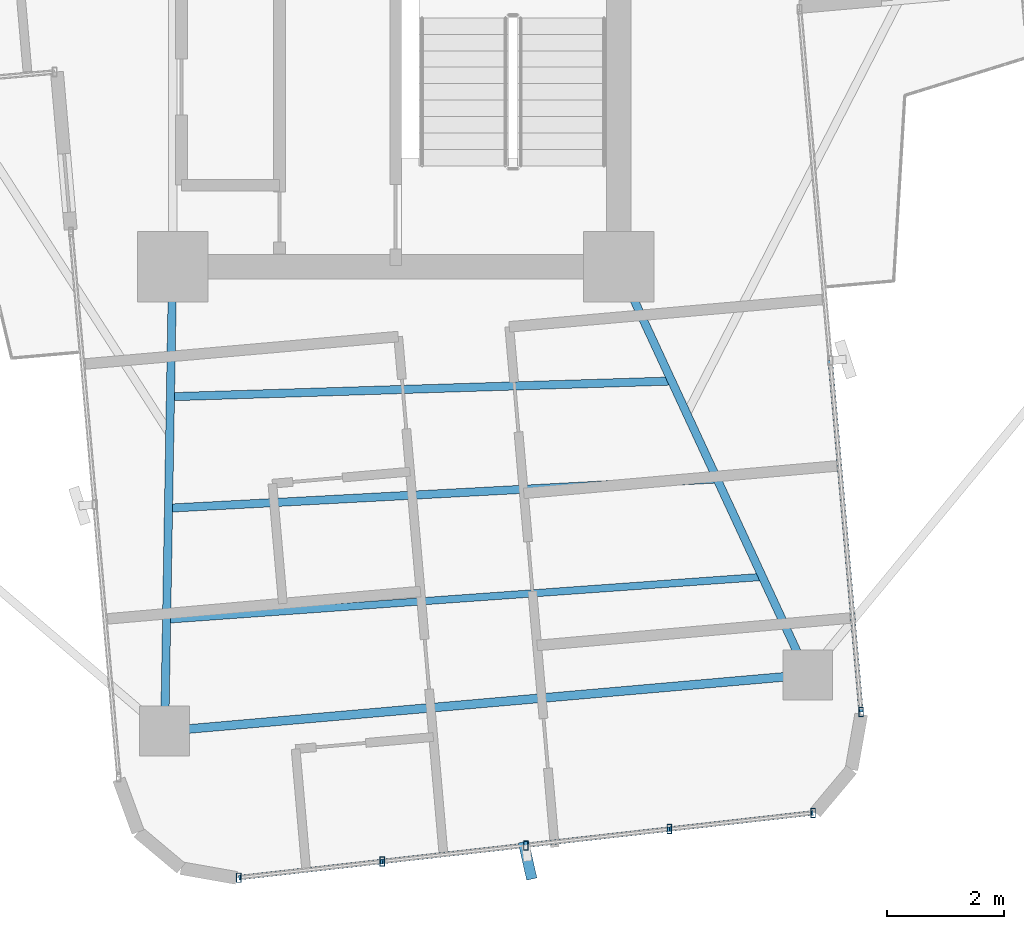
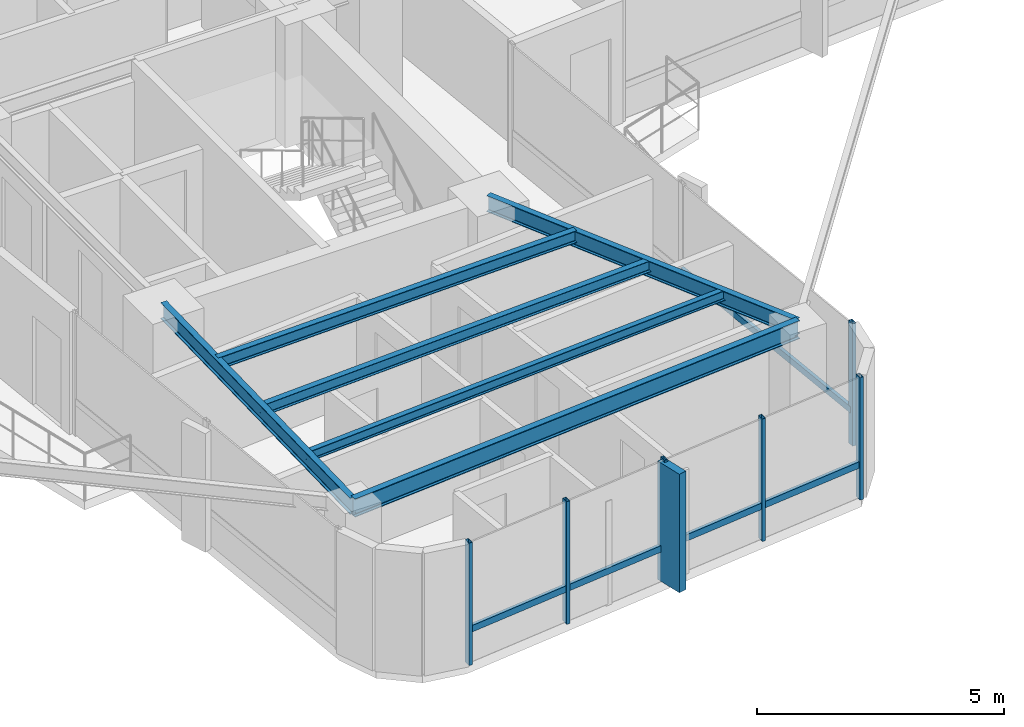
# One storey, part 6 of 24: 12 members, 6 beams, 2 elements without a shape of their own.
"""IFC4 building model written with IfcOpenShell, lengths in metres."""

from ifc_helpers import new_model, si_unit, direction, frame, origin, origin_2d, place, context, subcontext, project, spatial, rectangle, hollow_rectangle, i_section, extrude, source, transform, mapped, material, material_profile, profile_set, type_object, element, aggregate, save


model = new_model("IFC4")

# Units and contexts
model_context = context("Model", 3, precision=1e-05, world=origin(), true_north=direction((0.0, 1.0)))
body_context = subcontext(model_context, "Body", "Model", "MODEL_VIEW")
ifc_project = project(units=[si_unit("LENGTHUNIT", "METRE"), si_unit("AREAUNIT", "SQUARE_METRE"), si_unit("VOLUMEUNIT", "CUBIC_METRE"), si_unit("PLANEANGLEUNIT", "RADIAN"), si_unit("MASSUNIT", "GRAM", prefix="KILO")], contexts=[model_context])

# Site, building, storey
site_placement = place(None, origin())
site = spatial("IfcSite", under=ifc_project, at=site_placement, CompositionType="ELEMENT")
building_placement = place(site_placement, origin())
building = spatial("IfcBuilding", under=site, at=building_placement, Name="Sahyath Konkavel Grand Hotel", CompositionType="ELEMENT")
storey_placement = place(building_placement, frame((0.0, 0.0, 198.64990234375)))
storey = spatial("IfcBuildingStorey", under=building, at=storey_placement, Name="L55", CompositionType="ELEMENT", Elevation=198.64990234375)

# Beams
ifc_material_1 = material(Name="Steel E350", Category="steel")
ifc_material_profile_1 = material_profile(ifc_material_1, i_section(OverallWidth=0.139892578125, OverallDepth=0.39990234375, WebThickness=0.0087890625, FlangeThickness=0.01611328125, FilletRadius=0.013916015625, at=origin_2d()), Name="ISMB 400")
ifc_profile_set_1 = profile_set([ifc_material_profile_1], Name="Steel E350")
beam_type_1 = type_object("IfcBeamType", Name="BM-ISMB400", PredefinedType="BEAM", material=ifc_profile_set_1)
shared_shape_1 = source(origin(), body_context, "Body", "SweptSolid", [
    extrude(i_section(OverallWidth=0.139892578125, OverallDepth=0.39990234375, WebThickness=0.0087890625, FlangeThickness=0.01611328125, FilletRadius=0.013916015625, at=origin_2d()), origin(), (0.0, 0.0, 1.0), 7.913330078125),
])
beam_1_placement = place(storey_placement, frame((-3.800048828125, -10.199951171875, 2.830078125), z_axis=(-0.017215419232, -0.999851803689, 0.0), x_axis=(0.999851803689, -0.017215419232, 0.0)))
element("IfcBeam", 1, at=beam_1_placement, inside=storey, type_object=beam_type_1, Name="L55 Cruciform Radial Girder SA", PredefinedType="BEAM", context=body_context, shape_type="MappedRepresentation", body=[
    mapped(shared_shape_1, transform((0.0, 0.0, 0.0), scale=1.0)),
])
shared_shape_2 = source(origin(), body_context, "Body", "SweptSolid", [
    extrude(i_section(OverallWidth=0.139892578125, OverallDepth=0.39990234375, WebThickness=0.0087890625, FlangeThickness=0.01611328125, FilletRadius=0.013916015625, at=origin_2d()), origin(), (0.0, 0.0, 1.0), 7.66357421875),
])
beam_2_placement = place(storey_placement, frame((3.800048828125, -10.199951171875, 2.830078125), z_axis=(0.420395127561, -0.907341135804, 0.0), x_axis=(0.907341135804, 0.420395127561, 0.0)))
element("IfcBeam", 2, at=beam_2_placement, inside=storey, type_object=beam_type_1, Name="L55 Cruciform Radial Girder SB", PredefinedType="BEAM", context=body_context, shape_type="MappedRepresentation", body=[
    mapped(shared_shape_2, transform((0.0, 0.0, 0.0), scale=1.0)),
])
ifc_material_profile_2 = material_profile(ifc_material_1, i_section(OverallWidth=0.14990234375, OverallDepth=0.449951171875, WebThickness=0.009521484375, FlangeThickness=0.017333984375, FilletRadius=0.014892578125, at=origin_2d()), Name="ISMB 450")
ifc_profile_set_2 = profile_set([ifc_material_profile_2], Name="Steel E350")
beam_type_2 = type_object("IfcBeamType", Name="BM-ISMB450", PredefinedType="BEAM", material=ifc_profile_set_2)
shared_shape_3 = source(origin(), body_context, "Body", "SweptSolid", [
    extrude(i_section(OverallWidth=0.14990234375, OverallDepth=0.449951171875, WebThickness=0.009521484375, FlangeThickness=0.017333984375, FilletRadius=0.014892578125, at=origin_2d()), origin(), (0.0, 0.0, 1.0), 10.999755859375),
])
beam_3_placement = place(storey_placement, frame((-3.936279296875, -18.112060546875, 2.80517578125), z_axis=(0.99619439202, 0.087159241098, 0.0), x_axis=(-0.087159241098, 0.99619439202, 0.0)))
element("IfcBeam", 3, at=beam_3_placement, inside=storey, type_object=beam_type_2, Name="L55 Wing Tip Edge Beam S", PredefinedType="BEAM", context=body_context, shape_type="MappedRepresentation", body=[
    mapped(shared_shape_3, transform((0.0, 0.0, 0.0), scale=1.0)),
])
ifc_material_profile_3 = material_profile(ifc_material_1, i_section(OverallWidth=0.139892578125, OverallDepth=0.300048828125, WebThickness=0.0078125, FlangeThickness=0.01318359375, FilletRadius=0.013916015625, at=origin_2d()), Name="ISMB 300")
ifc_profile_set_3 = profile_set([ifc_material_profile_3], Name="Steel E350")
beam_type_3 = type_object("IfcBeamType", Name="BM-ISMB300", PredefinedType="BEAM", material=ifc_profile_set_3)
shared_shape_4 = source(origin(), body_context, "Body", "SweptSolid", [
    extrude(i_section(OverallWidth=0.139892578125, OverallDepth=0.300048828125, WebThickness=0.0078125, FlangeThickness=0.01318359375, FilletRadius=0.013916015625, at=origin_2d()), origin(), (0.0, 0.0, 1.0), 8.54443359375),
])
beam_4_placement = place(storey_placement, frame((-3.838134765625, -12.415283203125, 2.880126953125), z_axis=(0.999506849365, 0.031401561632, 0.0), x_axis=(-0.031401561632, 0.999506849365, 0.0)))
element("IfcBeam", 4, at=beam_4_placement, inside=storey, type_object=beam_type_3, Name="L55 Secondary Floor Beam S-1", PredefinedType="BEAM", context=body_context, shape_type="MappedRepresentation", body=[
    mapped(shared_shape_4, transform((0.0, 0.0, 0.0), scale=1.0)),
])
ifc_material_profile_4 = material_profile(ifc_material_1, i_section(OverallWidth=0.139892578125, OverallDepth=0.27490234375, WebThickness=0.00634765625, FlangeThickness=0.0087890625, FilletRadius=0.012939453125, at=origin_2d()), Name="ISLB 275")
ifc_profile_set_4 = profile_set([ifc_material_profile_4], Name="Steel E350")
beam_type_4 = type_object("IfcBeamType", Name="BM-ISLB275", PredefinedType="BEAM", material=ifc_profile_set_4)
shared_shape_5 = source(origin(), body_context, "Body", "SweptSolid", [
    extrude(i_section(OverallWidth=0.139892578125, OverallDepth=0.27490234375, WebThickness=0.00634765625, FlangeThickness=0.0087890625, FilletRadius=0.012939453125, at=origin_2d()), origin(), (0.0, 0.0, 1.0), 9.359375),
])
beam_5_placement = place(storey_placement, frame((-3.870849609375, -14.314208984375, 2.892578125), z_axis=(0.998580397723, 0.053265272769, 0.0), x_axis=(-0.053265272769, 0.998580397723, 0.0)))
element("IfcBeam", 5, at=beam_5_placement, inside=storey, type_object=beam_type_4, Name="L55 Secondary Floor Beam S-2", PredefinedType="BEAM", context=body_context, shape_type="MappedRepresentation", body=[
    mapped(shared_shape_5, transform((0.0, 0.0, 0.0), scale=1.0)),
])
ifc_material_profile_5 = material_profile(ifc_material_1, i_section(OverallWidth=0.125, OverallDepth=0.25, WebThickness=0.0068359375, FlangeThickness=0.012451171875, FilletRadius=0.012939453125, at=origin_2d()), Name="ISMB 250")
ifc_profile_set_5 = profile_set([ifc_material_profile_5], Name="Steel E350")
beam_type_5 = type_object("IfcBeamType", Name="BM-ISMB250", PredefinedType="BEAM", material=ifc_profile_set_5)
shared_shape_6 = source(origin(), body_context, "Body", "SweptSolid", [
    extrude(i_section(OverallWidth=0.125, OverallDepth=0.25, WebThickness=0.0068359375, FlangeThickness=0.012451171875, FilletRadius=0.012939453125, at=origin_2d()), origin(), (0.0, 0.0, 1.0), 10.178466796875),
])
beam_6_placement = place(storey_placement, frame((-3.90380859375, -16.213134765625, 2.905029296875), z_axis=(0.997435268886, 0.071574327683, 0.0), x_axis=(-0.071574327683, 0.997435268886, 0.0)))
element("IfcBeam", 6, at=beam_6_placement, inside=storey, type_object=beam_type_5, Name="L55 Secondary Floor Beam S-3", PredefinedType="BEAM", context=body_context, shape_type="MappedRepresentation", body=[
    mapped(shared_shape_6, transform((0.0, 0.0, 0.0), scale=1.0)),
])

# Curtain wall, members
ifc_material_2 = material(Name="Anodised Bronze Aluminium & Low-E Glazing", Category="aluminium")
curtain_wall_type = type_object("IfcCurtainWallType", Name="CW-ZONE3", PredefinedType="NOTDEFINED", material=ifc_material_2)
curtain_wall_1_placement = place(storey_placement, origin())
curtain_wall_1 = element("IfcCurtainWall", 7, at=curtain_wall_1_placement, inside=storey, type_object=curtain_wall_type, Name="L55 Unitised Curtain Wall F28", PredefinedType="NOTDEFINED")
ifc_material_3 = material(Name="Anodised Bronze Aluminium", Category="aluminium")
ifc_material_profile_6 = material_profile(ifc_material_3, hollow_rectangle(XDim=0.080078125, YDim=0.159912109375, WallThickness=0.006103515625, at=origin_2d()), Name="RHS 160x80x6")
ifc_profile_set_6 = profile_set([ifc_material_profile_6], Name="Anodised Bronze Aluminium")
member_type_1 = type_object("IfcMemberType", Name="CW-MUL-160", PredefinedType="MULLION", material=ifc_profile_set_6)
shared_shape_7 = source(origin(), body_context, "Body", "SweptSolid", [
    extrude(hollow_rectangle(XDim=0.080078125, YDim=0.159912109375, WallThickness=0.006103515625, at=origin_2d()), origin(), (0.0, 0.0, 1.0), 3.030029296875),
])
member_1_placement = place(storey_placement, frame((-2.673828125, -20.610595703125, 0.0), z_axis=(0.0, 0.0, 1.0), x_axis=(1.0, 0.0, 0.0)))
member_1 = element("IfcMember", 8, at=member_1_placement, type_object=member_type_1, Name="L55 Curtain Wall Mullion F28-0", PredefinedType="MULLION", context=body_context, shape_type="MappedRepresentation", body=[
    mapped(shared_shape_7, transform((0.0, 0.0, 0.0), scale=1.0)),
])
member_2_placement = place(storey_placement, frame((-0.227294921875, -20.334716796875, 0.0), z_axis=(0.0, 0.0, 1.0), x_axis=(1.0, 0.0, 0.0)))
member_2 = element("IfcMember", 9, at=member_2_placement, type_object=member_type_1, Name="L55 Curtain Wall Mullion F28-1", PredefinedType="MULLION", context=body_context, shape_type="MappedRepresentation", body=[
    mapped(shared_shape_7, transform((0.0, 0.0, 0.0), scale=1.0)),
])
member_3_placement = place(storey_placement, frame((2.21923828125, -20.05908203125, 0.0), z_axis=(0.0, 0.0, 1.0), x_axis=(1.0, 0.0, 0.0)))
member_3 = element("IfcMember", 10, at=member_3_placement, type_object=member_type_1, Name="L55 Curtain Wall Mullion F28-2", PredefinedType="MULLION", context=body_context, shape_type="MappedRepresentation", body=[
    mapped(shared_shape_7, transform((0.0, 0.0, 0.0), scale=1.0)),
])
member_4_placement = place(storey_placement, frame((4.665771484375, -19.783203125, 0.0), z_axis=(0.0, 0.0, 1.0), x_axis=(1.0, 0.0, 0.0)))
member_4 = element("IfcMember", 11, at=member_4_placement, type_object=member_type_1, Name="L55 Curtain Wall Mullion F28-3", PredefinedType="MULLION", context=body_context, shape_type="MappedRepresentation", body=[
    mapped(shared_shape_7, transform((0.0, 0.0, 0.0), scale=1.0)),
])
member_5_placement = place(storey_placement, frame((7.1123046875, -19.507568359375, 0.0), z_axis=(0.0, 0.0, 1.0), x_axis=(1.0, 0.0, 0.0)))
member_5 = element("IfcMember", 12, at=member_5_placement, type_object=member_type_1, Name="L55 Curtain Wall Mullion F28-4", PredefinedType="MULLION", context=body_context, shape_type="MappedRepresentation", body=[
    mapped(shared_shape_7, transform((0.0, 0.0, 0.0), scale=1.0)),
])

# Curtain wall, member
curtain_wall_2_placement = place(storey_placement, origin())
curtain_wall_2 = element("IfcCurtainWall", 13, at=curtain_wall_2_placement, inside=storey, type_object=curtain_wall_type, Name="L55 Unitised Curtain Wall F31", PredefinedType="NOTDEFINED")
member_6_placement = place(storey_placement, frame((7.930419921875, -17.78662109375, 0.0), z_axis=(0.0, 0.0, 1.0), x_axis=(1.0, 0.0, 0.0)))
member_6 = element("IfcMember", 14, at=member_6_placement, type_object=member_type_1, Name="L55 Curtain Wall Mullion F31-0", PredefinedType="MULLION", context=body_context, shape_type="MappedRepresentation", body=[
    mapped(shared_shape_7, transform((0.0, 0.0, 0.0), scale=1.0)),
])

# Member
ifc_material_4 = material(Name="Warm Buff Sandstone Cladding on Concrete C50/60", Category="masonry")
ifc_material_profile_7 = material_profile(ifc_material_4, rectangle(XDim=0.179931640625, YDim=0.64990234375, at=origin_2d()), Name="FIN 180x650")
ifc_profile_set_7 = profile_set([ifc_material_profile_7], Name="Warm Buff Sandstone Cladding on Concrete C50/60")
member_type_2 = type_object("IfcMemberType", Name="FIN-SANDSTONE-650", PredefinedType="MULLION", material=ifc_profile_set_7)
shared_shape_8 = source(origin(), body_context, "Body", "SweptSolid", [
    extrude(rectangle(XDim=0.179931640625, YDim=0.64990234375, at=origin_2d()), origin(), (0.0, 0.0, 1.0), 2.929931640625),
])
member_7_placement = place(storey_placement, frame((2.248291015625, -20.3173828125, 0.050048828125), z_axis=(0.0, 0.0, 1.0), x_axis=(0.975419299024, 0.220356962886, 0.0)))
member_7 = element("IfcMember", 15, at=member_7_placement, type_object=member_type_2, Name="L55 Sandstone Vertical Solar Fin FIN F28-2", PredefinedType="MULLION", context=body_context, shape_type="MappedRepresentation", body=[
    mapped(shared_shape_8, transform((0.0, 0.0, 0.0), scale=1.0)),
])

ifc_material_profile_8 = material_profile(ifc_material_3, hollow_rectangle(XDim=0.080078125, YDim=0.159912109375, WallThickness=0.006103515625, at=origin_2d()), Name="RHS 160x80x6")
ifc_profile_set_8 = profile_set([ifc_material_profile_8], Name="Anodised Bronze Aluminium")
member_type_3 = type_object("IfcMemberType", Name="CW-TRN-160", PredefinedType="USERDEFINED", material=ifc_profile_set_8)
shared_shape_9 = source(origin(), body_context, "Body", "SweptSolid", [
    extrude(hollow_rectangle(XDim=0.080078125, YDim=0.159912109375, WallThickness=0.006103515625, at=origin_2d()), origin(), (0.0, 0.0, 1.0), 2.462158203125),
])
member_8_placement = place(storey_placement, frame((-2.673828125, -20.610595703125, 0.85009765625), z_axis=(0.99370222711, 0.112053040279, 0.0), x_axis=(-0.112053040279, 0.99370222711, 0.0)))
member_8 = element("IfcMember", 16, at=member_8_placement, type_object=member_type_3, Name="L55 Curtain Wall Transom F28-0-spandrel", ObjectType="TRANSOM", PredefinedType="USERDEFINED", context=body_context, shape_type="MappedRepresentation", body=[
    mapped(shared_shape_9, transform((0.0, 0.0, 0.0), scale=1.0)),
])

member_9_placement = place(storey_placement, frame((2.21923828125, -20.05908203125, 0.85009765625), z_axis=(0.99370222711, 0.112053040279, 0.0), x_axis=(-0.112053040279, 0.99370222711, 0.0)))
member_9 = element("IfcMember", 17, at=member_9_placement, type_object=member_type_3, Name="L55 Curtain Wall Transom F28-2-spandrel", ObjectType="TRANSOM", PredefinedType="USERDEFINED", context=body_context, shape_type="MappedRepresentation", body=[
    mapped(shared_shape_9, transform((0.0, 0.0, 0.0), scale=1.0)),
])

shared_shape_10 = source(origin(), body_context, "Body", "SweptSolid", [
    extrude(hollow_rectangle(XDim=0.080078125, YDim=0.159912109375, WallThickness=0.006103515625, at=origin_2d()), origin(), (0.0, 0.0, 1.0), 2.4619140625),
])
member_10_placement = place(storey_placement, frame((-0.227294921875, -20.334716796875, 0.85009765625), z_axis=(0.993713263833, 0.111955121731, 0.0), x_axis=(-0.111955121731, 0.993713263833, 0.0)))
member_10 = element("IfcMember", 18, at=member_10_placement, type_object=member_type_3, Name="L55 Curtain Wall Transom F28-1-spandrel", ObjectType="TRANSOM", PredefinedType="USERDEFINED", context=body_context, shape_type="MappedRepresentation", body=[
    mapped(shared_shape_10, transform((0.0, 0.0, 0.0), scale=1.0)),
])

member_11_placement = place(storey_placement, frame((4.665771484375, -19.783203125, 0.85009765625), z_axis=(0.993713263833, 0.111955121731, 0.0), x_axis=(-0.111955121731, 0.993713263833, 0.0)))
member_11 = element("IfcMember", 19, at=member_11_placement, type_object=member_type_3, Name="L55 Curtain Wall Transom F28-3-spandrel", ObjectType="TRANSOM", PredefinedType="USERDEFINED", context=body_context, shape_type="MappedRepresentation", body=[
    mapped(shared_shape_10, transform((0.0, 0.0, 0.0), scale=1.0)),
])

aggregate(curtain_wall_1, [member_1, member_2, member_3, member_7, member_4, member_5, member_8, member_10, member_9, member_11])

shared_shape_11 = source(origin(), body_context, "Body", "SweptSolid", [
    extrude(hollow_rectangle(XDim=0.080078125, YDim=0.159912109375, WallThickness=0.006103515625, at=origin_2d()), origin(), (0.0, 0.0, 1.0), 6.01025390625),
])
member_12_placement = place(storey_placement, frame((7.930419921875, -17.78662109375, 0.85009765625), z_axis=(-0.087172997156, 0.996193188376, 0.0), x_axis=(-0.996193188376, -0.087172997156, 0.0)))
member_12 = element("IfcMember", 20, at=member_12_placement, type_object=member_type_3, Name="L55 Curtain Wall Transom F31-0-spandrel", ObjectType="TRANSOM", PredefinedType="USERDEFINED", context=body_context, shape_type="MappedRepresentation", body=[
    mapped(shared_shape_11, transform((0.0, 0.0, 0.0), scale=1.0)),
])

aggregate(curtain_wall_2, [member_6, member_12])

save(model, "model.ifc")
